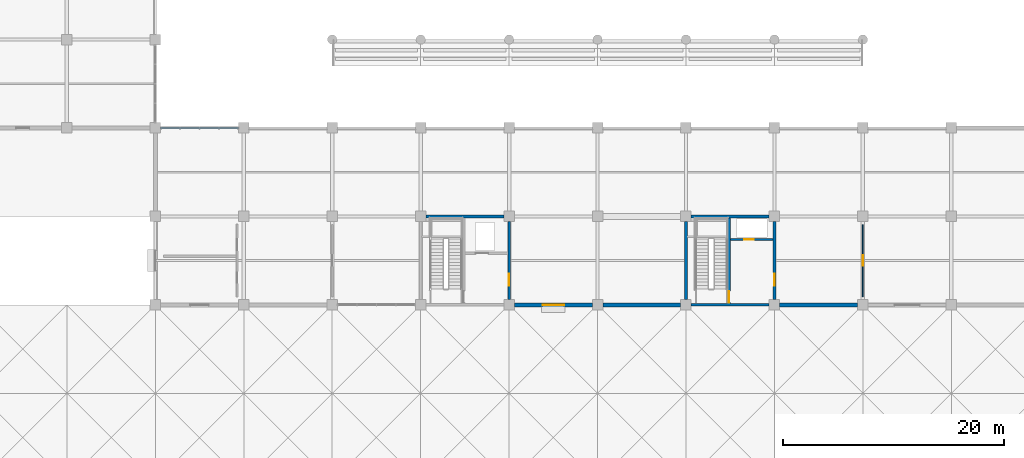
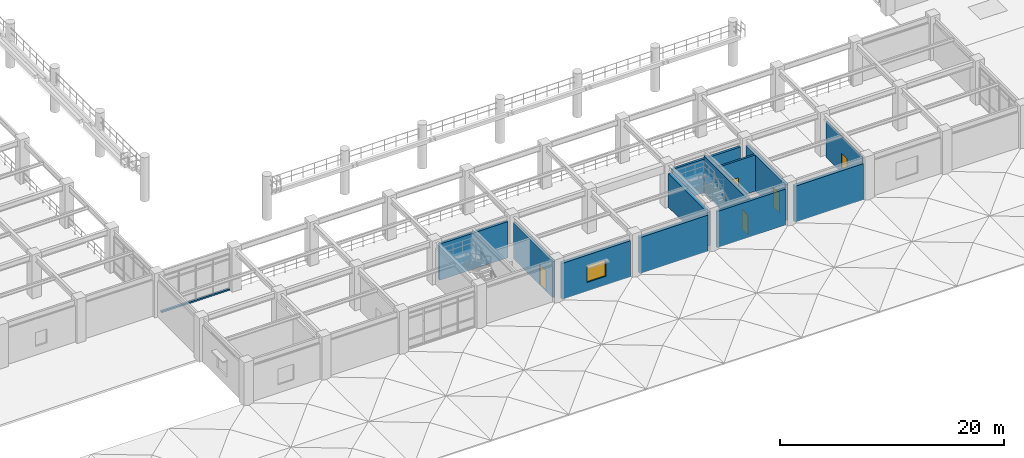
# One storey, part 70 of 109: 13 walls, 5 doors, 1 window, 6 openings.
"""IFC4 building model written with IfcOpenShell, lengths in metres."""

from ifc_helpers import new_model, si_unit, direction, frame, frame_2d, origin, place, context, subcontext, project, spatial, rectangle, extrude, material, layer, layer_set, type_object, element, fill, save


model = new_model("IFC4")

# Units and contexts
model_context = context("Model", 3, precision=1e-05, world=origin(), true_north=direction((0.0, 1.0)))
body_context = subcontext(model_context, "Body", "Model", "MODEL_VIEW")
ifc_project = project(units=[si_unit("LENGTHUNIT", "METRE"), si_unit("AREAUNIT", "SQUARE_METRE"), si_unit("VOLUMEUNIT", "CUBIC_METRE"), si_unit("PLANEANGLEUNIT", "RADIAN"), si_unit("MASSUNIT", "GRAM", prefix="KILO")], contexts=[model_context])

# Site, building, storey
site_placement = place(None, origin())
site = spatial("IfcSite", under=ifc_project, at=site_placement, CompositionType="ELEMENT")
building_placement = place(site_placement, origin())
building = spatial("IfcBuilding", under=site, at=building_placement, Name="Haebicheon Civic Stadium", CompositionType="ELEMENT")
storey_placement = place(building_placement, frame((0.0, 0.0, 9.60009765625)))
storey = spatial("IfcBuildingStorey", under=building, at=storey_placement, Name="L03", CompositionType="ELEMENT", Elevation=9.60009765625)

# Wall
ifc_material_1 = material(Name="Concrete C40/50", Category="concrete")
ifc_layer_1 = layer(ifc_material_1, 0.239990234375, Name="Concrete C40/50")
ifc_layer_set_1 = layer_set([ifc_layer_1], Name="Concrete C40/50")
wall_type_1 = type_object("IfcWallType", Name="CW-SHR-240", PredefinedType="SHEAR", material=ifc_layer_set_1)
wall_1_placement = place(storey_placement, frame((88.47509765625, 24.0, 0.0), z_axis=(0.0, 0.0, 1.0), x_axis=(1.0, 0.0, 0.0)))
element("IfcWall", 1, at=wall_1_placement, inside=storey, type_object=wall_type_1, material=ifc_layer_set_1, Name="KC-06 L03 north core shear wall", PredefinedType="SHEAR", context=body_context, shape_type="SweptSolid", body=[
    extrude(rectangle(XDim=7.0498046875, YDim=0.239990234375, at=frame_2d((3.52490234375, 0.0))), origin(), (0.0, 0.0, 1.0), 3.929931640625),
])

# Wall, opening, door
wall_2_placement = place(storey_placement, frame((96.0, 16.47509765625, 0.0), z_axis=(0.0, 0.0, 1.0), x_axis=(0.0, 1.0, 0.0)))
wall_2 = element("IfcWall", 2, at=wall_2_placement, inside=storey, type_object=wall_type_1, material=ifc_layer_set_1, Name="KC-06 L03 east core shear wall", PredefinedType="SHEAR", context=body_context, shape_type="SweptSolid", body=[
    extrude(rectangle(XDim=7.0498046875, YDim=0.239990234375, at=frame_2d((3.52490234375, 0.0))), origin(), (0.0, 0.0, 1.0), 3.929931640625),
])
opening_1_placement = place(wall_2_placement, frame((1.25, 0.0, 0.0)))
opening_1 = element("IfcOpeningElement", 3, at=opening_1_placement, cuts=wall_2, Name="Opening D-L03-KC-06-LOB", PredefinedType="OPENING", context=body_context, shape_type="SweptSolid", body=[
    extrude(rectangle(XDim=1.10009765625, YDim=2.199951171875, at=frame_2d((0.550048828125, 1.10009765625))), frame((0.0, 0.1298828125, 0.0), z_axis=(0.0, -1.0, 0.0), x_axis=(1.0, 0.0, 0.0)), (0.0, 0.0, 1.0), 0.260009765625),
])
ifc_material_2 = material(Name="Galvanised painted steel SM355", Category="steel")
door_type_1 = type_object("IfcDoorType", Name="ID-FD-1100", OperationType="NOTDEFINED", PredefinedType="DOOR", material=ifc_material_2)
door_1_placement = place(opening_1_placement, origin())
door_1 = element("IfcDoor", 4, at=door_1_placement, inside=storey, type_object=door_type_1, material=ifc_material_2, Name="L03 KC-06 lobby fire door", OperationType="SINGLE_SWING_LEFT", OverallHeight=2.199951171875, OverallWidth=1.10009765625, PredefinedType="DOOR", context=body_context, shape_type="SweptSolid", body=[
    extrude(rectangle(XDim=1.10009765625, YDim=2.199951171875, at=frame_2d((0.550048828125, 1.10009765625))), frame((0.0, 0.02490234375, 0.0), z_axis=(0.0, -1.0, 0.0), x_axis=(1.0, 0.0, 0.0)), (0.0, 0.0, 1.0), 0.050048828125),
])
fill(opening_1, door_1)

# Walls
wall_3_placement = place(storey_placement, frame((112.47509765625, 16.0, 0.0), z_axis=(0.0, 0.0, 1.0), x_axis=(1.0, 0.0, 0.0)))
element("IfcWall", 5, at=wall_3_placement, inside=storey, type_object=wall_type_1, material=ifc_layer_set_1, Name="KC-07 L03 south core shear wall", PredefinedType="SHEAR", context=body_context, shape_type="SweptSolid", body=[
    extrude(rectangle(XDim=7.0498046875, YDim=0.239990234375, at=frame_2d((3.52490234375, 0.0))), origin(), (0.0, 0.0, 1.0), 3.929931640625),
])
wall_4_placement = place(storey_placement, frame((112.47509765625, 24.0, 0.0), z_axis=(0.0, 0.0, 1.0), x_axis=(1.0, 0.0, 0.0)))
element("IfcWall", 6, at=wall_4_placement, inside=storey, type_object=wall_type_1, material=ifc_layer_set_1, Name="KC-07 L03 north core shear wall", PredefinedType="SHEAR", context=body_context, shape_type="SweptSolid", body=[
    extrude(rectangle(XDim=7.0498046875, YDim=0.239990234375, at=frame_2d((3.52490234375, 0.0))), origin(), (0.0, 0.0, 1.0), 3.679931640625),
])
ifc_material_3 = material(Name="Concrete C40/50", Category="concrete")
ifc_layer_2 = layer(ifc_material_3, 0.300048828125, Name="Concrete C40/50")
ifc_layer_set_2 = layer_set([ifc_layer_2], Name="Concrete C40/50")
wall_type_2 = type_object("IfcWallType", Name="CW-SHR-300", PredefinedType="SHEAR", material=ifc_layer_set_2)
wall_5_placement = place(storey_placement, frame((112.0, 16.47509765625, 0.0), z_axis=(0.0, 0.0, 1.0), x_axis=(0.0, 1.0, 0.0)))
element("IfcWall", 7, at=wall_5_placement, inside=storey, type_object=wall_type_2, material=ifc_layer_set_2, Name="KC-07 L03 west core shear wall", PredefinedType="SHEAR", context=body_context, shape_type="SweptSolid", body=[
    extrude(rectangle(XDim=7.0498046875, YDim=0.300048828125, at=frame_2d((3.52490234375, 0.0))), origin(), (0.0, 0.0, 1.0), 3.679931640625),
])

# Wall, opening, door
wall_6_placement = place(storey_placement, frame((120.0, 16.47509765625, 0.0), z_axis=(0.0, 0.0, 1.0), x_axis=(0.0, 1.0, 0.0)))
wall_6 = element("IfcWall", 8, at=wall_6_placement, inside=storey, type_object=wall_type_2, material=ifc_layer_set_2, Name="KC-07 L03 east core shear wall", PredefinedType="SHEAR", context=body_context, shape_type="SweptSolid", body=[
    extrude(rectangle(XDim=7.0498046875, YDim=0.300048828125, at=frame_2d((3.52490234375, 0.0))), origin(), (0.0, 0.0, 1.0), 3.929931640625),
])
opening_2_placement = place(wall_6_placement, frame((1.25, 0.0, 0.0)))
opening_2 = element("IfcOpeningElement", 9, at=opening_2_placement, cuts=wall_6, Name="Opening D-L03-KC-07-LOB", PredefinedType="OPENING", context=body_context, shape_type="SweptSolid", body=[
    extrude(rectangle(XDim=1.10009765625, YDim=2.199951171875, at=frame_2d((0.550048828125, 1.10009765625))), frame((0.0, 0.159912109375, 0.0), z_axis=(0.0, -1.0, 0.0), x_axis=(1.0, 0.0, 0.0)), (0.0, 0.0, 1.0), 0.320068359375),
])
door_2_placement = place(opening_2_placement, origin())
door_2 = element("IfcDoor", 10, at=door_2_placement, inside=storey, type_object=door_type_1, material=ifc_material_2, Name="L03 KC-07 lobby fire door", OperationType="SINGLE_SWING_RIGHT", OverallHeight=2.199951171875, OverallWidth=1.10009765625, PredefinedType="DOOR", context=body_context, shape_type="SweptSolid", body=[
    extrude(rectangle(XDim=1.10009765625, YDim=2.199951171875, at=frame_2d((0.550048828125, 1.10009765625))), frame((0.0, 0.02490234375, 0.0), z_axis=(0.0, -1.0, 0.0), x_axis=(1.0, 0.0, 0.0)), (0.0, 0.0, 1.0), 0.050048828125),
])
fill(opening_2, door_2)

wall_7_placement = place(storey_placement, frame((115.8798828125, 16.1201171875, 0.0), z_axis=(0.0, 0.0, 1.0), x_axis=(0.0, 1.0, 0.0)))
wall_7 = element("IfcWall", 11, at=wall_7_placement, inside=storey, type_object=wall_type_2, material=ifc_layer_set_2, Name="KC-07 L03 stair-lobby dividing shear wall", PredefinedType="SHEAR", context=body_context, shape_type="SweptSolid", body=[
    extrude(rectangle(XDim=7.759765625, YDim=0.300048828125, at=frame_2d((3.8798828125, 0.0))), origin(), (0.0, 0.0, 1.0), 4.02978515625),
])
opening_3_placement = place(wall_7_placement, frame((0.080078125, 0.0, 0.0)))
opening_3 = element("IfcOpeningElement", 12, at=opening_3_placement, cuts=wall_7, Name="Opening D-L03-KC-07-STR", PredefinedType="OPENING", context=body_context, shape_type="SweptSolid", body=[
    extrude(rectangle(XDim=1.050048828125, YDim=2.14990234375, at=frame_2d((0.52490234375, 1.074951171875))), frame((0.0, 0.159912109375, 0.0), z_axis=(0.0, -1.0, 0.0), x_axis=(1.0, 0.0, 0.0)), (0.0, 0.0, 1.0), 0.320068359375),
])
ifc_material_4 = material(Name="Galvanised painted steel SM355", Category="steel")
door_type_2 = type_object("IfcDoorType", Name="ID-FD-1050", OperationType="NOTDEFINED", PredefinedType="DOOR", material=ifc_material_4)
door_3_placement = place(opening_3_placement, origin())
door_3 = element("IfcDoor", 13, at=door_3_placement, inside=storey, type_object=door_type_2, material=ifc_material_4, Name="L03 ST-07 stairwell escape door", OperationType="SINGLE_SWING_LEFT", OverallHeight=2.14990234375, OverallWidth=1.050048828125, PredefinedType="DOOR", context=body_context, shape_type="SweptSolid", body=[
    extrude(rectangle(XDim=1.050048828125, YDim=2.14990234375, at=frame_2d((0.52490234375, 1.074951171875))), frame((0.0, 0.02490234375, 0.0), z_axis=(0.0, -1.0, 0.0), x_axis=(1.0, 0.0, 0.0)), (0.0, 0.0, 1.0), 0.050048828125),
])
fill(opening_3, door_3)

# Wall, opening, window
ifc_material_5 = material(Name="Concrete C40/50", Category="concrete")
ifc_layer_3 = layer(ifc_material_5, 0.35009765625, Name="Concrete C40/50")
ifc_layer_set_3 = layer_set([ifc_layer_3], Name="Concrete C40/50")
wall_type_3 = type_object("IfcWallType", Name="EW-BM-350", PredefinedType="SOLIDWALL", material=ifc_layer_set_3)
wall_8_placement = place(storey_placement, frame((96.47509765625, 16.0, 0.0), z_axis=(0.0, 0.0, 1.0), x_axis=(1.0, 0.0, 0.0)))
wall_8 = element("IfcWall", 14, at=wall_8_placement, inside=storey, type_object=wall_type_3, material=ifc_layer_set_3, Name="L03 board-marked concrete facade wall 12-02-S", PredefinedType="SOLIDWALL", context=body_context, shape_type="SweptSolid", body=[
    extrude(rectangle(XDim=7.0498046875, YDim=0.35009765625, at=frame_2d((3.52490234375, 0.0))), origin(), (0.0, 0.0, 1.0), 3.929931640625),
])
opening_4_placement = place(wall_8_placement, frame((2.550048828125, 0.0, 0.949951171875)))
opening_4 = element("IfcOpeningElement", 15, at=opening_4_placement, cuts=wall_8, Name="Opening WIN-195x180", PredefinedType="OPENING", context=body_context, shape_type="SweptSolid", body=[
    extrude(rectangle(XDim=1.949951171875, YDim=1.800048828125, at=frame_2d((0.97509765625, 0.89990234375))), frame((0.0, 0.18505859375, 0.0), z_axis=(0.0, -1.0, 0.0), x_axis=(1.0, 0.0, 0.0)), (0.0, 0.0, 1.0), 0.3701171875),
])
ifc_material_6 = material(Name="Anodised aluminium and laminated glass", Category="aluminium")
window_type = type_object("IfcWindowType", Name="WIN-195x180", PartitioningType="SINGLE_PANEL", PredefinedType="WINDOW", material=ifc_material_6)
window_placement = place(opening_4_placement, origin())
window = element("IfcWindow", 16, at=window_placement, inside=storey, type_object=window_type, material=ifc_material_6, Name="L03 facade window 074", OverallHeight=1.800048828125, OverallWidth=1.949951171875, PartitioningType="SINGLE_PANEL", PredefinedType="WINDOW", context=body_context, shape_type="SweptSolid", body=[
    extrude(rectangle(XDim=1.949951171875, YDim=1.800048828125, at=frame_2d((0.97509765625, 0.89990234375))), frame((0.0, 0.030029296875, 0.0), z_axis=(0.0, -1.0, 0.0), x_axis=(1.0, 0.0, 0.0)), (0.0, 0.0, 1.0), 0.06005859375),
])
fill(opening_4, window)

# Walls
for number, where, z_axis, x_axis, name in (
    (17, (104.47509765625, 16.0, 0.0), (0.0, 0.0, 1.0), (1.0, 0.0, 0.0), "L03 board-marked concrete facade wall 13-02-S"),
    (18, (120.47509765625, 16.0, 0.0), (0.0, 0.0, 1.0), (1.0, 0.0, 0.0), "L03 board-marked concrete facade wall 15-02-S"),
):
    element("IfcWall", number, at=place(storey_placement, frame(where, z_axis=z_axis, x_axis=x_axis)), inside=storey, type_object=wall_type_3, material=ifc_layer_set_3, Name=name, PredefinedType="SOLIDWALL", context=body_context, shape_type="SweptSolid", body=[
        extrude(rectangle(XDim=7.0498046875, YDim=0.35009765625, at=frame_2d((3.52490234375, 0.0))), origin(), (0.0, 0.0, 1.0), 3.929931640625),
    ])
ifc_material_7 = material(Name="Precast concrete C40/50", Category="concrete")
ifc_layer_4 = layer(ifc_material_7, 0.219970703125, Name="Precast concrete C40/50")
ifc_layer_set_4 = layer_set([ifc_layer_4], Name="Precast concrete C40/50")
wall_type_4 = type_object("IfcWallType", Name="EW-PAR-220", PredefinedType="PARAPET", material=ifc_layer_set_4)
wall_9_placement = place(storey_placement, frame((64.47509765625, 32.0, 0.0), z_axis=(0.0, 0.0, 1.0), x_axis=(1.0, 0.0, 0.0)))
element("IfcWall", 19, at=wall_9_placement, inside=storey, type_object=wall_type_4, material=ifc_layer_set_4, Name="L03 curtain-wall concrete upstand kerb", PredefinedType="PARAPET", context=body_context, shape_type="SweptSolid", body=[
    extrude(rectangle(XDim=7.0498046875, YDim=0.219970703125, at=frame_2d((3.52490234375, 0.0))), origin(), (0.0, 0.0, 1.0), 0.159912109375),
])

# Wall, opening, door
ifc_material_8 = material(Name="Concrete C35/45", Category="concrete")
ifc_layer_5 = layer(ifc_material_8, 0.199951171875, Name="Concrete C35/45")
ifc_layer_set_5 = layer_set([ifc_layer_5], Name="Concrete C35/45")
wall_type_5 = type_object("IfcWallType", Name="IW-FIR-200", PredefinedType="PARTITIONING", material=ifc_layer_set_5)
wall_10_placement = place(storey_placement, frame((116.030029296875, 21.919921875, 0.0), z_axis=(0.0, 0.0, 1.0), x_axis=(1.0, 0.0, 0.0)))
wall_10 = element("IfcWall", 20, at=wall_10_placement, inside=storey, type_object=wall_type_5, material=ifc_layer_set_5, Name="KC-07 L03 service riser wall", PredefinedType="PARTITIONING", context=body_context, shape_type="SweptSolid", body=[
    extrude(rectangle(XDim=3.820068359375, YDim=0.199951171875, at=frame_2d((1.91015625, 0.0))), origin(), (0.0, 0.0, 1.0), 3.929931640625),
])
opening_5_placement = place(wall_10_placement, frame((1.25, 0.0, 0.0)))
opening_5 = element("IfcOpeningElement", 21, at=opening_5_placement, cuts=wall_10, Name="Opening D-L03-KC-07-RSR", PredefinedType="OPENING", context=body_context, shape_type="SweptSolid", body=[
    extrude(rectangle(XDim=0.85009765625, YDim=2.050048828125, at=frame_2d((0.425048828125, 1.02490234375))), frame((0.0, 0.10986328125, 0.0), z_axis=(0.0, -1.0, 0.0), x_axis=(1.0, 0.0, 0.0)), (0.0, 0.0, 1.0), 0.219970703125),
])
ifc_material_9 = material(Name="Galvanised painted steel SM355", Category="steel")
door_type_3 = type_object("IfcDoorType", Name="ID-RSR-0850", OperationType="NOTDEFINED", PredefinedType="TRAPDOOR", material=ifc_material_9)
door_4_placement = place(opening_5_placement, origin())
door_4 = element("IfcDoor", 22, at=door_4_placement, inside=storey, type_object=door_type_3, material=ifc_material_9, Name="L03 KC-07 riser access door", OperationType="SINGLE_SWING_RIGHT", OverallHeight=2.050048828125, OverallWidth=0.85009765625, PredefinedType="TRAPDOOR", context=body_context, shape_type="SweptSolid", body=[
    extrude(rectangle(XDim=0.85009765625, YDim=2.050048828125, at=frame_2d((0.425048828125, 1.02490234375))), frame((0.0, 0.02490234375, 0.0), z_axis=(0.0, -1.0, 0.0), x_axis=(1.0, 0.0, 0.0)), (0.0, 0.0, 1.0), 0.050048828125),
])
fill(opening_5, door_4)

ifc_material_10 = material(Name="Anodised aluminium and laminated glass", Category="aluminium")
ifc_layer_6 = layer(ifc_material_10, 0.10009765625, Name="Anodised aluminium and laminated glass")
ifc_layer_set_6 = layer_set([ifc_layer_6], Name="Anodised aluminium and laminated glass")
wall_type_6 = type_object("IfcWallType", Name="IW-PRT-100", PredefinedType="PARTITIONING", material=ifc_layer_set_6)
wall_11_placement = place(storey_placement, frame((128.0, 16.75, 0.0), z_axis=(0.0, 0.0, 1.0), x_axis=(0.0, 1.0, 0.0)))
wall_11 = element("IfcWall", 23, at=wall_11_placement, inside=storey, type_object=wall_type_6, material=ifc_layer_set_6, Name="L03 Supporters' Club Lounge partition wall", PredefinedType="PARTITIONING", context=body_context, shape_type="SweptSolid", body=[
    extrude(rectangle(XDim=6.5, YDim=0.10009765625, at=frame_2d((3.25, 0.0))), origin(), (0.0, 0.0, 1.0), 3.929931640625),
])
opening_6_placement = place(wall_11_placement, frame((2.77490234375, 0.0, 0.0)))
opening_6 = element("IfcOpeningElement", 24, at=opening_6_placement, cuts=wall_11, Name="Opening D-L03-293", PredefinedType="OPENING", context=body_context, shape_type="SweptSolid", body=[
    extrude(rectangle(XDim=0.949951171875, YDim=2.10009765625, at=frame_2d((0.47509765625, 1.050048828125))), frame((0.0, 0.06005859375, 0.0), z_axis=(0.0, -1.0, 0.0), x_axis=(1.0, 0.0, 0.0)), (0.0, 0.0, 1.0), 0.1201171875),
])
ifc_material_11 = material(Name="Engineered hardwood timber", Category="wood")
door_type_4 = type_object("IfcDoorType", Name="ID-RM-0950", OperationType="NOTDEFINED", PredefinedType="DOOR", material=ifc_material_11)
door_5_placement = place(opening_6_placement, origin())
door_5 = element("IfcDoor", 25, at=door_5_placement, inside=storey, type_object=door_type_4, material=ifc_material_11, Name="L03 Supporters' Club Lounge entrance door D-L03-293", OperationType="SINGLE_SWING_RIGHT", OverallHeight=2.10009765625, OverallWidth=0.949951171875, PredefinedType="DOOR", context=body_context, shape_type="SweptSolid", body=[
    extrude(rectangle(XDim=0.949951171875, YDim=2.10009765625, at=frame_2d((0.47509765625, 1.050048828125))), frame((0.0, 0.02490234375, 0.0), z_axis=(0.0, -1.0, 0.0), x_axis=(1.0, 0.0, 0.0)), (0.0, 0.0, 1.0), 0.050048828125),
])
fill(opening_6, door_5)

save(model, "model.ifc")
